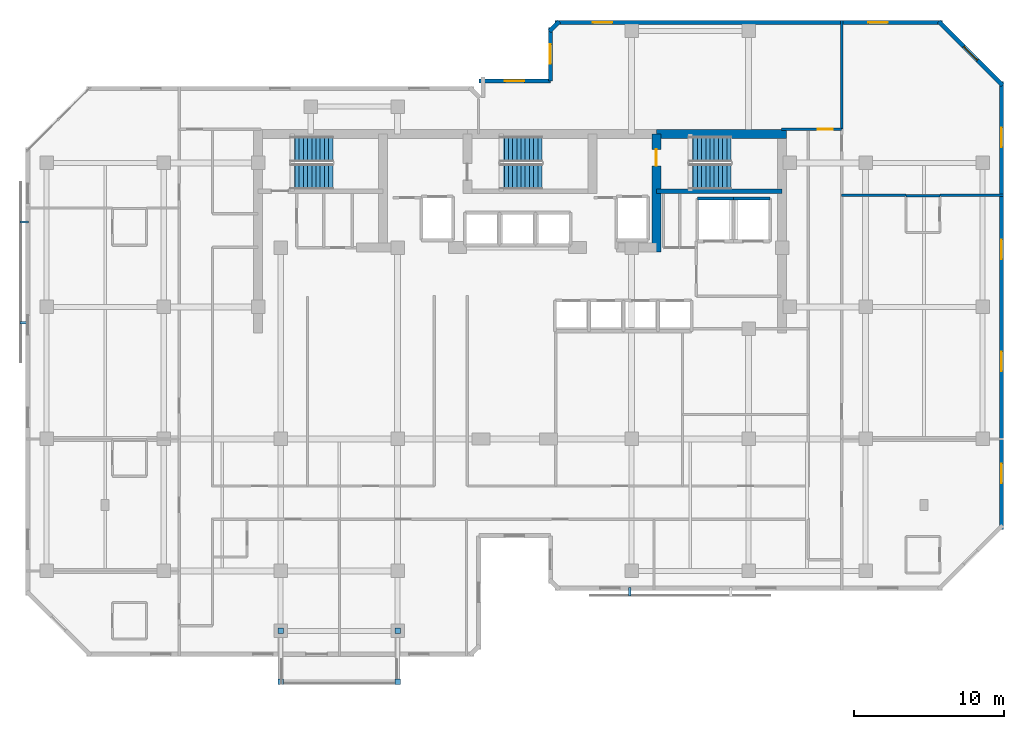
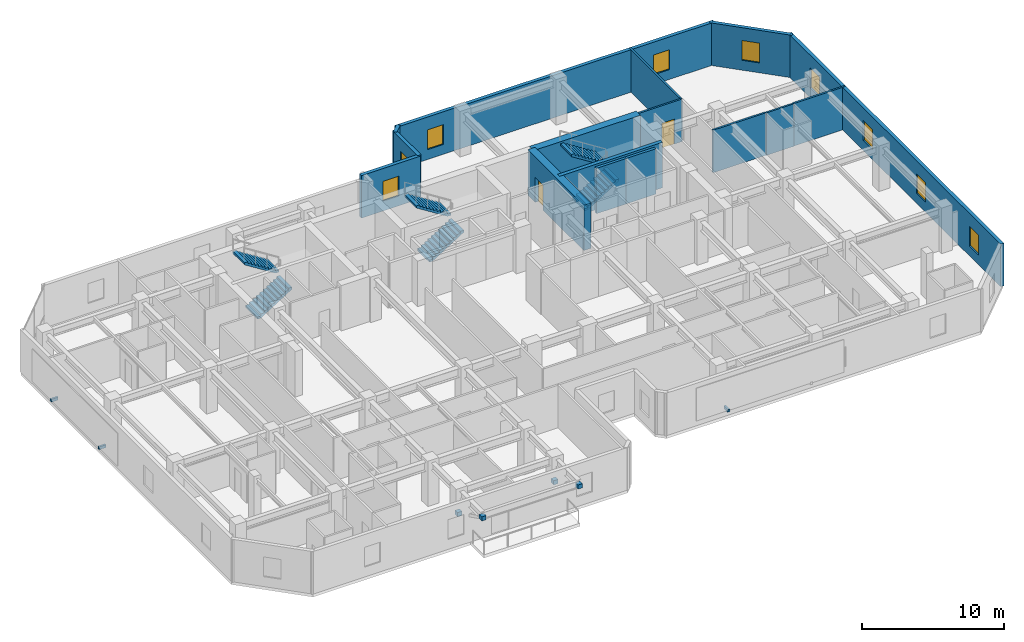
# One storey, part 8 of 11: 16 walls, 9 windows, 7 discrete accessories, 6 stair flights, 2 doors, 11 openings, 3 elements without a shape of their own.
"""IFC4 building model written with IfcOpenShell, lengths in metres."""

import ifcopenshell
import ifcopenshell.guid

model = None  # the IFC model being written
_history = None  # IfcOwnerHistory: only IFC2X3 demands one
_inside = {}  # id of a spatial element -> (the spatial element, [elements in it])
_under = {}  # id of a project, library or spatial element -> (it, [spatial elements below it])
_declared = {}  # id of a project -> (the project, [libraries it declares])
_typed = {}  # id of a type object -> (the type object, [elements of that type])
_made_of = {}  # id of a material, layer set ... -> (it, [elements and type objects made of it])


def new_model(schema):
    """Start an empty IFC model of exactly this schema.

    Asked for "IFC4X3", IfcOpenShell would pick the latest addendum, in which some entities
    have other attributes; the version numbers below select the first issue.
    IFC2X3 requires an IfcOwnerHistory on every rooted entity: one is made here for all.
    """
    global model, _history
    if schema == "IFC4X3":
        model = ifcopenshell.file(schema_version=(4, 3, 0, 0))
    else:
        model = ifcopenshell.file(schema=schema)
    _inside.clear()
    _under.clear()
    _declared.clear()
    _typed.clear()
    _made_of.clear()
    _history = None
    if model.schema == "IFC2X3":
        org = make("IfcOrganization", Name="unknown")
        user = make(
            "IfcPersonAndOrganization",
            ThePerson=make("IfcPerson", FamilyName="unknown"),
            TheOrganization=org,
        )
        app = make(
            "IfcApplication",
            ApplicationDeveloper=org,
            Version="unknown",
            ApplicationFullName="unknown",
            ApplicationIdentifier="unknown",
        )
        _history = make(
            "IfcOwnerHistory",
            OwningUser=user,
            OwningApplication=app,
            ChangeAction="ADDED",
            CreationDate=0,
        )
    return model


def make(cls, **values):
    """One entity of the class cls with the attributes given. An attribute that is None is left unset."""
    return model.create_entity(
        cls, **{name: value for name, value in values.items() if value is not None}
    )


def rooted(cls, **values):
    """An entity with a GlobalId (a new one), such as an element, a storey or a relation."""
    return make(cls, GlobalId=ifcopenshell.guid.new(), OwnerHistory=_history, **values)


def si_unit(unit_type, name, prefix=None):
    """IfcSIUnit, for example si_unit("LENGTHUNIT", "METRE", prefix="MILLI")."""
    return make("IfcSIUnit", UnitType=unit_type, Prefix=prefix, Name=name)


def assignment(units):
    """IfcUnitAssignment: the units of a project."""
    return None if units is None else make("IfcUnitAssignment", Units=units)


def point(xyz):
    """IfcCartesianPoint."""
    return None if xyz is None else make("IfcCartesianPoint", Coordinates=xyz)


def direction(xyz):
    """IfcDirection."""
    return None if xyz is None else make("IfcDirection", DirectionRatios=xyz)


def frame(location, z_axis=None, x_axis=None):
    """IfcAxis2Placement3D, a coordinate frame: its origin and axes. An axis left out is left unset."""
    return make(
        "IfcAxis2Placement3D",
        Location=point(location),
        Axis=direction(z_axis),
        RefDirection=direction(x_axis),
    )


def frame_2d(location, x_axis=None):
    """IfcAxis2Placement2D, a coordinate frame in the plane: its origin and x axis."""
    return make(
        "IfcAxis2Placement2D", Location=point(location), RefDirection=direction(x_axis)
    )


def origin():
    """The frame at (0, 0, 0) with its axes left unset."""
    return frame((0.0, 0.0, 0.0))


def origin_2d():
    """The frame at (0, 0) in the plane with its x axis left unset."""
    return frame_2d((0.0, 0.0))


def place(relative_to, where):
    """IfcLocalPlacement: puts the frame where relative to a parent placement (None: the world)."""
    return make(
        "IfcLocalPlacement", PlacementRelTo=relative_to, RelativePlacement=where
    )


def context(
    kind, dimensions, precision=None, world=None, true_north=None, identifier=None
):
    """IfcGeometricRepresentationContext, for example the 3D "Model" context."""
    return make(
        "IfcGeometricRepresentationContext",
        ContextIdentifier=identifier,
        ContextType=kind,
        CoordinateSpaceDimension=dimensions,
        Precision=precision,
        WorldCoordinateSystem=world,
        TrueNorth=true_north,
    )


def subcontext(parent, identifier, kind, view, scale=None):
    """IfcGeometricRepresentationSubContext, for example "Body" below "Model"."""
    return make(
        "IfcGeometricRepresentationSubContext",
        ContextIdentifier=identifier,
        ContextType=kind,
        ParentContext=parent,
        TargetScale=scale,
        TargetView=view,
    )


def project(units=None, contexts=None):
    """IfcProject with its units and contexts."""
    return rooted(
        "IfcProject",
        Name="project",
        RepresentationContexts=contexts,
        UnitsInContext=assignment(units),
    )


def spatial(cls, under=None, at=None, **own):
    """A site, building, storey or space (cls), placed at a placement, below another one or the project."""
    s = rooted(cls, ObjectPlacement=at, **own)
    if under is not None:
        _under.setdefault(under.id(), (under, []))[1].append(s)
    return s


def polyline(points):
    """IfcPolyline through the points."""
    return make("IfcPolyline", Points=[point(p) for p in points])


def profile(cls, at=None, kind="AREA", **sizes):
    """A parametric profile (cls). Its sizes go by their IFC names, for example OverallWidth=200.0."""
    return make(cls, ProfileType=kind, Position=at, **sizes)


def rectangle(**sizes):
    """IfcRectangleProfileDef."""
    return profile("IfcRectangleProfileDef", **sizes)


def outline(outer, holes=None, kind="AREA"):
    """IfcArbitraryClosedProfileDef: a profile drawn as a closed curve; with holes, ...WithVoids."""
    if holes is None:
        return make("IfcArbitraryClosedProfileDef", ProfileType=kind, OuterCurve=outer)
    return make(
        "IfcArbitraryProfileDefWithVoids",
        ProfileType=kind,
        OuterCurve=outer,
        InnerCurves=holes,
    )


def extrude(swept, where, along, depth):
    """IfcExtrudedAreaSolid: the profile swept, set in the frame where, extruded along a direction by depth."""
    return make(
        "IfcExtrudedAreaSolid",
        SweptArea=swept,
        Position=where,
        ExtrudedDirection=direction(along),
        Depth=depth,
    )


def shape(context_of_items, identifier, shape_type, items):
    """IfcShapeRepresentation: the items that make up one representation, for example the "Body"."""
    return make(
        "IfcShapeRepresentation",
        ContextOfItems=context_of_items,
        RepresentationIdentifier=identifier,
        RepresentationType=shape_type,
        Items=items,
    )


def material(Name=None, Category=None):
    """IfcMaterial."""
    return make("IfcMaterial", Name=Name, Category=Category)


def layer(
    of_material, thickness, ventilated=None, Name=None, Category=None, Priority=None
):
    """IfcMaterialLayer: one layer of a wall or slab, of a material (None: an air gap)."""
    return make(
        "IfcMaterialLayer",
        Material=of_material,
        LayerThickness=thickness,
        IsVentilated=ventilated,
        Name=Name,
        Category=Category,
        Priority=Priority,
    )


def layer_set(layers, Name=None):
    """IfcMaterialLayerSet."""
    return make("IfcMaterialLayerSet", MaterialLayers=layers, LayerSetName=Name)


def made_of(thing, what):
    """Note that an element or type object is made of a material, layer set ...; save() writes the relation."""
    if what is not None:
        _made_of.setdefault(what.id(), (what, []))[1].append(thing)
    return thing


def type_object(cls, material=None, **own):
    """A type object (cls), such as IfcWallType, which elements share."""
    return made_of(rooted(cls, **own), material)


def element(
    cls,
    number,
    at=None,
    inside=None,
    cuts=None,
    type_object=None,
    material=None,
    context=None,
    identifier="Body",
    shape_type=None,
    held_by="IfcProductDefinitionShape",
    body=None,
    shapes=None,
    **own,
):
    """One element of the class cls, such as IfcWall. Its Tag is "e" and its number.

    at: its placement. inside: the storey or other place that contains it. cuts: it is an
    opening in that element (IfcRelVoidsElement). A single representation is given by context,
    identifier, shape_type and body (its items); several are given by shapes. held_by: the class
    of the entity that holds the representations. save() writes the other relations.
    """
    e = rooted(cls, Tag="e%d" % number, ObjectPlacement=at, **own)
    if body is not None:
        shapes = [shape(context, identifier, shape_type, body)]
    if shapes is not None:
        e.Representation = make(held_by, Representations=shapes)
    if inside is not None:
        _inside.setdefault(inside.id(), (inside, []))[1].append(e)
    if cuts is not None:
        rooted(
            "IfcRelVoidsElement", RelatingBuildingElement=cuts, RelatedOpeningElement=e
        )
    if type_object is not None:
        _typed.setdefault(type_object.id(), (type_object, []))[1].append(e)
    return made_of(e, material)


def fill(opening, filler):
    """IfcRelFillsElement: the door or window that sits in an opening."""
    return rooted(
        "IfcRelFillsElement",
        RelatingOpeningElement=opening,
        RelatedBuildingElement=filler,
    )


def aggregate(whole, parts):
    """IfcRelAggregates: a whole, such as a stair, and the parts it consists of."""
    return rooted("IfcRelAggregates", RelatingObject=whole, RelatedObjects=parts)


def save(model, path):
    """Write the relations noted so far, then the file.

    IfcRelAggregates (storeys below a building ...), IfcRelContainedInSpatialStructure (elements
    in a storey), IfcRelDefinesByType, IfcRelAssociatesMaterial and IfcRelDeclares: one each for
    every whole, place, type object, material and project.
    """
    for whole, parts in _under.values():
        aggregate(whole, parts)
    for where, things in _inside.values():
        rooted(
            "IfcRelContainedInSpatialStructure",
            RelatedElements=things,
            RelatingStructure=where,
        )
    for kind, things in _typed.values():
        rooted("IfcRelDefinesByType", RelatedObjects=things, RelatingType=kind)
    for what, things in _made_of.values():
        rooted("IfcRelAssociatesMaterial", RelatedObjects=things, RelatingMaterial=what)
    for by, libraries in _declared.values():
        rooted("IfcRelDeclares", RelatingContext=by, RelatedDefinitions=libraries)
    model.write(path)


model = new_model("IFC4")

# Units and contexts
model_context = context("Model", 3, precision=1e-05, world=origin(), true_north=direction((0.0, 1.0)))
body_context = subcontext(model_context, "Body", "Model", "MODEL_VIEW")
ifc_project = project(units=[si_unit("LENGTHUNIT", "METRE"), si_unit("AREAUNIT", "SQUARE_METRE"), si_unit("VOLUMEUNIT", "CUBIC_METRE"), si_unit("PLANEANGLEUNIT", "RADIAN"), si_unit("MASSUNIT", "GRAM", prefix="KILO")], contexts=[model_context])

# Site, building, storey
site_placement = place(None, origin())
site = spatial("IfcSite", under=ifc_project, at=site_placement, CompositionType="ELEMENT")
building_placement = place(site_placement, origin())
building = spatial("IfcBuilding", under=site, at=building_placement, Name="Kestravale Grand Hotel", CompositionType="ELEMENT")
storey_placement = place(building_placement, frame((0.0, 0.0, 204.60009765625)))
storey = spatial("IfcBuildingStorey", under=building, at=storey_placement, Name="L51", CompositionType="ELEMENT", Elevation=204.60009765625)

# Wall
ifc_material_1 = material(Name="Concrete f'c 50 MPa", Category="concrete")
ifc_layer_1 = layer(ifc_material_1, 0.60009765625)
ifc_layer_set_1 = layer_set([ifc_layer_1], Name="EW-CORE-600")
wall_type_1 = type_object("IfcWallType", Name="EW-CORE-600", PredefinedType="SHEAR", material=ifc_layer_set_1)
wall_1_placement = place(storey_placement, frame((48.449951171875, 40.320068359375, 0.0), z_axis=(0.0, 0.0, 1.0), x_axis=(1.0, 0.0, 0.0)))
element("IfcWall", 1, at=wall_1_placement, inside=storey, type_object=wall_type_1, Name="L51 core shear wall N3", PredefinedType="SHEAR", context=body_context, shape_type="SweptSolid", body=[
    extrude(rectangle(XDim=8.670166015625, YDim=0.60009765625, at=frame_2d((4.3349609375, 0.0))), origin(), (0.0, 0.0, 1.0), 3.89990234375),
])

# Wall, opening, door
wall_2_placement = place(storey_placement, frame((48.449951171875, 32.449951171875, 0.0), z_axis=(0.0, 0.0, 1.0), x_axis=(0.0, 1.0, 0.0)))
wall_2 = element("IfcWall", 2, at=wall_2_placement, inside=storey, type_object=wall_type_1, Name="L51 core shear wall X4", PredefinedType="SHEAR", context=body_context, shape_type="SweptSolid", body=[
    extrude(rectangle(XDim=7.8701171875, YDim=0.60009765625, at=frame_2d((3.93505859375, 0.0))), origin(), (0.0, 0.0, 1.0), 3.89990234375),
])
opening_1_placement = place(wall_2_placement, frame((5.75, 0.0, 0.0)))
opening_1 = element("IfcOpeningElement", 3, at=opening_1_placement, cuts=wall_2, Name="Opening D-ST-1100", PredefinedType="OPENING", context=body_context, shape_type="SweptSolid", body=[
    extrude(rectangle(XDim=1.10009765625, YDim=2.14990234375, at=frame_2d((0.550048828125, 1.074951171875))), frame((0.0, 0.31005859375, 0.0), z_axis=(0.0, -1.0, 0.0), x_axis=(1.0, 0.0, 0.0)), (0.0, 0.0, 1.0), 0.6201171875),
])
ifc_material_2 = material(Name="Galvanised 90-minute fire-rated steel stair door", Category="steel")
door_type_1 = type_object("IfcDoorType", Name="D-ST-1100", OperationType="NOTDEFINED", PredefinedType="DOOR", material=ifc_material_2)
door_1_placement = place(opening_1_placement, origin())
door_1 = element("IfcDoor", 4, at=door_1_placement, inside=storey, type_object=door_type_1, Name="L51 Stair ST-3 FSAE fire door", OperationType="SINGLE_SWING_RIGHT", OverallHeight=2.14990234375, OverallWidth=1.10009765625, PredefinedType="DOOR", context=body_context, shape_type="SweptSolid", body=[
    extrude(rectangle(XDim=1.10009765625, YDim=2.14990234375, at=frame_2d((0.550048828125, 1.074951171875))), frame((0.0, 0.02490234375, 0.0), z_axis=(0.0, -1.0, 0.0), x_axis=(1.0, 0.0, 0.0)), (0.0, 0.0, 1.0), 0.050048828125),
])
fill(opening_1, door_1)

# Wall, openings, windows
ifc_material_3 = material(Name="Precast concrete f'c 45 MPa", Category="concrete")
ifc_layer_2 = layer(ifc_material_3, 0.280029296875)
ifc_layer_set_2 = layer_set([ifc_layer_2], Name="EW-PREC-280")
wall_type_2 = type_object("IfcWallType", Name="EW-PREC-280", PredefinedType="SOLIDWALL", material=ifc_layer_set_2)
wall_3_placement = place(storey_placement, frame((71.4599609375, 13.9599609375, 0.0), z_axis=(0.0, 0.0, 1.0), x_axis=(0.0, 1.0, 0.0)))
wall_3 = element("IfcWall", 5, at=wall_3_placement, inside=storey, type_object=wall_type_2, Name="L51 fluted precast facade wall 9", PredefinedType="SOLIDWALL", context=body_context, shape_type="SweptSolid", body=[
    extrude(rectangle(XDim=29.880126953125, YDim=0.280029296875, at=frame_2d((14.93994140625, 0.0))), origin(), (0.0, 0.0, 1.0), 3.64990234375),
])
opening_2_placement = place(wall_3_placement, frame((3.0849609375, 0.0, 0.85009765625)))
opening_2 = element("IfcOpeningElement", 6, at=opening_2_placement, cuts=wall_3, Name="Opening W-GUEST-1300", PredefinedType="OPENING", context=body_context, shape_type="SweptSolid", body=[
    extrude(rectangle(XDim=1.300048828125, YDim=1.699951171875, at=frame_2d((0.64990234375, 0.85009765625))), frame((0.0, 0.14990234375, 0.0), z_axis=(0.0, -1.0, 0.0), x_axis=(1.0, 0.0, 0.0)), (0.0, 0.0, 1.0), 0.300048828125),
])
opening_3_placement = place(wall_3_placement, frame((10.554931640625, 0.0, 0.85009765625)))
opening_3 = element("IfcOpeningElement", 7, at=opening_3_placement, cuts=wall_3, Name="Opening W-GUEST-1300", PredefinedType="OPENING", context=body_context, shape_type="SweptSolid", body=[
    extrude(rectangle(XDim=1.300048828125, YDim=1.699951171875, at=frame_2d((0.64990234375, 0.85009765625))), frame((0.0, 0.14990234375, 0.0), z_axis=(0.0, -1.0, 0.0), x_axis=(1.0, 0.0, 0.0)), (0.0, 0.0, 1.0), 0.300048828125),
])
opening_4_placement = place(wall_3_placement, frame((18.02490234375, 0.0, 0.85009765625)))
opening_4 = element("IfcOpeningElement", 8, at=opening_4_placement, cuts=wall_3, Name="Opening W-GUEST-1300", PredefinedType="OPENING", context=body_context, shape_type="SweptSolid", body=[
    extrude(rectangle(XDim=1.300048828125, YDim=1.699951171875, at=frame_2d((0.64990234375, 0.85009765625))), frame((0.0, 0.14990234375, 0.0), z_axis=(0.0, -1.0, 0.0), x_axis=(1.0, 0.0, 0.0)), (0.0, 0.0, 1.0), 0.300048828125),
])
opening_5_placement = place(wall_3_placement, frame((25.4951171875, 0.0, 0.85009765625)))
opening_5 = element("IfcOpeningElement", 9, at=opening_5_placement, cuts=wall_3, Name="Opening W-GUEST-1300", PredefinedType="OPENING", context=body_context, shape_type="SweptSolid", body=[
    extrude(rectangle(XDim=1.300048828125, YDim=1.699951171875, at=frame_2d((0.64990234375, 0.85009765625))), frame((0.0, 0.14990234375, 0.0), z_axis=(0.0, -1.0, 0.0), x_axis=(1.0, 0.0, 0.0)), (0.0, 0.0, 1.0), 0.300048828125),
])
ifc_material_4 = material(Name="Insulated low-E double glazing in aluminium frame", Category="aluminium")
window_type = type_object("IfcWindowType", Name="W-GUEST-1300", PartitioningType="SINGLE_PANEL", PredefinedType="WINDOW", material=ifc_material_4)
window_1_placement = place(opening_2_placement, origin())
window_1 = element("IfcWindow", 10, at=window_1_placement, inside=storey, type_object=window_type, Name="L51 exterior window 9.1", OverallHeight=1.699951171875, OverallWidth=1.300048828125, PartitioningType="SINGLE_PANEL", PredefinedType="WINDOW", context=body_context, shape_type="SweptSolid", body=[
    extrude(rectangle(XDim=1.300048828125, YDim=1.699951171875, at=frame_2d((0.64990234375, 0.85009765625))), frame((0.0, 0.030029296875, 0.0), z_axis=(0.0, -1.0, 0.0), x_axis=(1.0, 0.0, 0.0)), (0.0, 0.0, 1.0), 0.06005859375),
])
fill(opening_2, window_1)
window_2_placement = place(opening_3_placement, origin())
window_2 = element("IfcWindow", 11, at=window_2_placement, inside=storey, type_object=window_type, Name="L51 exterior window 9.2", OverallHeight=1.699951171875, OverallWidth=1.300048828125, PartitioningType="SINGLE_PANEL", PredefinedType="WINDOW", context=body_context, shape_type="SweptSolid", body=[
    extrude(rectangle(XDim=1.300048828125, YDim=1.699951171875, at=frame_2d((0.64990234375, 0.85009765625))), frame((0.0, 0.030029296875, 0.0), z_axis=(0.0, -1.0, 0.0), x_axis=(1.0, 0.0, 0.0)), (0.0, 0.0, 1.0), 0.06005859375),
])
fill(opening_3, window_2)
window_3_placement = place(opening_4_placement, origin())
window_3 = element("IfcWindow", 12, at=window_3_placement, inside=storey, type_object=window_type, Name="L51 exterior window 9.3", OverallHeight=1.699951171875, OverallWidth=1.300048828125, PartitioningType="SINGLE_PANEL", PredefinedType="WINDOW", context=body_context, shape_type="SweptSolid", body=[
    extrude(rectangle(XDim=1.300048828125, YDim=1.699951171875, at=frame_2d((0.64990234375, 0.85009765625))), frame((0.0, 0.030029296875, 0.0), z_axis=(0.0, -1.0, 0.0), x_axis=(1.0, 0.0, 0.0)), (0.0, 0.0, 1.0), 0.06005859375),
])
fill(opening_4, window_3)
window_4_placement = place(opening_5_placement, origin())
window_4 = element("IfcWindow", 13, at=window_4_placement, inside=storey, type_object=window_type, Name="L51 exterior window 9.4", OverallHeight=1.699951171875, OverallWidth=1.300048828125, PartitioningType="SINGLE_PANEL", PredefinedType="WINDOW", context=body_context, shape_type="SweptSolid", body=[
    extrude(rectangle(XDim=1.300048828125, YDim=1.699951171875, at=frame_2d((0.64990234375, 0.85009765625))), frame((0.0, 0.030029296875, 0.0), z_axis=(0.0, -1.0, 0.0), x_axis=(1.0, 0.0, 0.0)), (0.0, 0.0, 1.0), 0.06005859375),
])
fill(opening_5, window_4)

# Wall, opening, window
wall_4_placement = place(storey_placement, frame((71.529296875, 43.57275390625, 0.0), z_axis=(0.0, 0.0, 1.0), x_axis=(-0.707106781187, 0.707106781187, 0.0)))
wall_4 = element("IfcWall", 14, at=wall_4_placement, inside=storey, type_object=wall_type_2, Name="L51 fluted precast facade wall 10", PredefinedType="SOLIDWALL", context=body_context, shape_type="SweptSolid", body=[
    extrude(rectangle(XDim=6.019775390625, YDim=0.280029296875, at=frame_2d((3.009765625, 0.0))), origin(), (0.0, 0.0, 1.0), 3.64990234375),
])
opening_6_placement = place(wall_4_placement, frame((2.35986328125, 0.0, 0.85009765625)))
opening_6 = element("IfcOpeningElement", 15, at=opening_6_placement, cuts=wall_4, Name="Opening W-GUEST-1300", PredefinedType="OPENING", context=body_context, shape_type="SweptSolid", body=[
    extrude(rectangle(XDim=1.300048828125, YDim=1.699951171875, at=frame_2d((0.64990234375, 0.85009765625))), frame((0.0, 0.14990234375, 0.0), z_axis=(0.0, -1.0, 0.0), x_axis=(1.0, 0.0, 0.0)), (0.0, 0.0, 1.0), 0.300048828125),
])
window_5_placement = place(opening_6_placement, origin())
window_5 = element("IfcWindow", 16, at=window_5_placement, inside=storey, type_object=window_type, Name="L51 exterior window 10.1", OverallHeight=1.699951171875, OverallWidth=1.300048828125, PartitioningType="SINGLE_PANEL", PredefinedType="WINDOW", context=body_context, shape_type="SweptSolid", body=[
    extrude(rectangle(XDim=1.300048828125, YDim=1.699951171875, at=frame_2d((0.64990234375, 0.85009765625))), frame((0.0, 0.030029296875, 0.0), z_axis=(0.0, -1.0, 0.0), x_axis=(1.0, 0.0, 0.0)), (0.0, 0.0, 1.0), 0.06005859375),
])
fill(opening_6, window_5)

# Wall, openings, windows
wall_5_placement = place(storey_placement, frame((67.5400390625, 47.760009765625, 0.0), z_axis=(0.0, 0.0, 1.0), x_axis=(-1.0, 0.0, 0.0)))
wall_5 = element("IfcWall", 17, at=wall_5_placement, inside=storey, type_object=wall_type_2, Name="L51 fluted precast facade wall 11", PredefinedType="SOLIDWALL", context=body_context, shape_type="SweptSolid", body=[
    extrude(rectangle(XDim=25.830078125, YDim=0.280029296875, at=frame_2d((12.9150390625, 0.0))), origin(), (0.0, 0.0, 1.0), 3.64990234375),
])
opening_7_placement = place(wall_5_placement, frame((3.655029296875, 0.0, 0.85009765625)))
opening_7 = element("IfcOpeningElement", 18, at=opening_7_placement, cuts=wall_5, Name="Opening W-GUEST-1300", PredefinedType="OPENING", context=body_context, shape_type="SweptSolid", body=[
    extrude(rectangle(XDim=1.300048828125, YDim=1.699951171875, at=frame_2d((0.64990234375, 0.85009765625))), frame((0.0, 0.14990234375, 0.0), z_axis=(0.0, -1.0, 0.0), x_axis=(1.0, 0.0, 0.0)), (0.0, 0.0, 1.0), 0.300048828125),
])
opening_8_placement = place(wall_5_placement, frame((22.02490234375, 0.0, 0.85009765625)))
opening_8 = element("IfcOpeningElement", 19, at=opening_8_placement, cuts=wall_5, Name="Opening W-GUEST-1300", PredefinedType="OPENING", context=body_context, shape_type="SweptSolid", body=[
    extrude(rectangle(XDim=1.300048828125, YDim=1.699951171875, at=frame_2d((0.64990234375, 0.85009765625))), frame((0.0, 0.14990234375, 0.0), z_axis=(0.0, -1.0, 0.0), x_axis=(1.0, 0.0, 0.0)), (0.0, 0.0, 1.0), 0.300048828125),
])
window_6_placement = place(opening_7_placement, origin())
window_6 = element("IfcWindow", 20, at=window_6_placement, inside=storey, type_object=window_type, Name="L51 exterior window 11.1", OverallHeight=1.699951171875, OverallWidth=1.300048828125, PartitioningType="SINGLE_PANEL", PredefinedType="WINDOW", context=body_context, shape_type="SweptSolid", body=[
    extrude(rectangle(XDim=1.300048828125, YDim=1.699951171875, at=frame_2d((0.64990234375, 0.85009765625))), frame((0.0, 0.030029296875, 0.0), z_axis=(0.0, -1.0, 0.0), x_axis=(1.0, 0.0, 0.0)), (0.0, 0.0, 1.0), 0.06005859375),
])
fill(opening_7, window_6)
window_7_placement = place(opening_8_placement, origin())
window_7 = element("IfcWindow", 21, at=window_7_placement, inside=storey, type_object=window_type, Name="L51 exterior window 11.2", OverallHeight=1.699951171875, OverallWidth=1.300048828125, PartitioningType="SINGLE_PANEL", PredefinedType="WINDOW", context=body_context, shape_type="SweptSolid", body=[
    extrude(rectangle(XDim=1.300048828125, YDim=1.699951171875, at=frame_2d((0.64990234375, 0.85009765625))), frame((0.0, 0.030029296875, 0.0), z_axis=(0.0, -1.0, 0.0), x_axis=(1.0, 0.0, 0.0)), (0.0, 0.0, 1.0), 0.06005859375),
])
fill(opening_8, window_7)

# Wall
wall_6_placement = place(storey_placement, frame((41.977294921875, 47.829345703125, 0.0), z_axis=(0.0, 0.0, 1.0), x_axis=(-0.706975312048, -0.707238225886, 0.0)))
element("IfcWall", 22, at=wall_6_placement, inside=storey, type_object=wall_type_2, Name="L51 fluted precast facade wall 12", PredefinedType="SOLIDWALL", context=body_context, shape_type="SweptSolid", body=[
    extrude(rectangle(XDim=0.9287109375, YDim=0.280029296875, at=frame_2d((0.46435546875, 0.0))), origin(), (0.0, 0.0, 1.0), 3.64990234375),
])

# Wall, opening, window
wall_7_placement = place(storey_placement, frame((41.389892578125, 47.43994140625, 0.0), z_axis=(0.0, 0.0, 1.0), x_axis=(0.0, -1.0, 0.0)))
wall_7 = element("IfcWall", 23, at=wall_7_placement, inside=storey, type_object=wall_type_2, Name="L51 fluted precast facade wall 13", PredefinedType="SOLIDWALL", context=body_context, shape_type="SweptSolid", body=[
    extrude(rectangle(XDim=3.579833984375, YDim=0.280029296875, at=frame_2d((1.7900390625, 0.0))), origin(), (0.0, 0.0, 1.0), 3.64990234375),
])
opening_9_placement = place(wall_7_placement, frame((1.139892578125, 0.0, 0.85009765625)))
opening_9 = element("IfcOpeningElement", 24, at=opening_9_placement, cuts=wall_7, Name="Opening W-GUEST-1300", PredefinedType="OPENING", context=body_context, shape_type="SweptSolid", body=[
    extrude(rectangle(XDim=1.300048828125, YDim=1.699951171875, at=frame_2d((0.64990234375, 0.85009765625))), frame((0.0, 0.14990234375, 0.0), z_axis=(0.0, -1.0, 0.0), x_axis=(1.0, 0.0, 0.0)), (0.0, 0.0, 1.0), 0.300048828125),
])
window_8_placement = place(opening_9_placement, origin())
window_8 = element("IfcWindow", 25, at=window_8_placement, inside=storey, type_object=window_type, Name="L51 exterior window 13.1", OverallHeight=1.699951171875, OverallWidth=1.300048828125, PartitioningType="SINGLE_PANEL", PredefinedType="WINDOW", context=body_context, shape_type="SweptSolid", body=[
    extrude(rectangle(XDim=1.300048828125, YDim=1.699951171875, at=frame_2d((0.64990234375, 0.85009765625))), frame((0.0, 0.030029296875, 0.0), z_axis=(0.0, -1.0, 0.0), x_axis=(1.0, 0.0, 0.0)), (0.0, 0.0, 1.0), 0.06005859375),
])
fill(opening_9, window_8)

wall_8_placement = place(storey_placement, frame((41.389892578125, 43.860107421875, 0.0), z_axis=(0.0, 0.0, 1.0), x_axis=(-1.0, 0.0, 0.0)))
wall_8 = element("IfcWall", 26, at=wall_8_placement, inside=storey, type_object=wall_type_2, Name="L51 fluted precast facade wall 14", PredefinedType="SOLIDWALL", context=body_context, shape_type="SweptSolid", body=[
    extrude(rectangle(XDim=4.77978515625, YDim=0.280029296875, at=frame_2d((2.389892578125, 0.0))), origin(), (0.0, 0.0, 1.0), 3.64990234375),
])
opening_10_placement = place(wall_8_placement, frame((1.739990234375, 0.0, 0.85009765625)))
opening_10 = element("IfcOpeningElement", 27, at=opening_10_placement, cuts=wall_8, Name="Opening W-GUEST-1300", PredefinedType="OPENING", context=body_context, shape_type="SweptSolid", body=[
    extrude(rectangle(XDim=1.300048828125, YDim=1.699951171875, at=frame_2d((0.64990234375, 0.85009765625))), frame((0.0, 0.14990234375, 0.0), z_axis=(0.0, -1.0, 0.0), x_axis=(1.0, 0.0, 0.0)), (0.0, 0.0, 1.0), 0.300048828125),
])
window_9_placement = place(opening_10_placement, origin())
window_9 = element("IfcWindow", 28, at=window_9_placement, inside=storey, type_object=window_type, Name="L51 exterior window 14.1", OverallHeight=1.699951171875, OverallWidth=1.300048828125, PartitioningType="SINGLE_PANEL", PredefinedType="WINDOW", context=body_context, shape_type="SweptSolid", body=[
    extrude(rectangle(XDim=1.300048828125, YDim=1.699951171875, at=frame_2d((0.64990234375, 0.85009765625))), frame((0.0, 0.030029296875, 0.0), z_axis=(0.0, -1.0, 0.0), x_axis=(1.0, 0.0, 0.0)), (0.0, 0.0, 1.0), 0.06005859375),
])
fill(opening_10, window_9)

# Walls
ifc_material_5 = material(Name="Concrete f'c 45 MPa", Category="concrete")
ifc_layer_3 = layer(ifc_material_5, 0.300048828125)
ifc_layer_set_3 = layer_set([ifc_layer_3], Name="EW-STAIR-300")
wall_type_3 = type_object("IfcWallType", Name="EW-STAIR-300", PredefinedType="SHEAR", material=ifc_layer_set_3)
wall_9_placement = place(storey_placement, frame((48.449951171875, 36.52001953125, 0.0), z_axis=(0.0, 0.0, 1.0), x_axis=(1.0, 0.0, 0.0)))
element("IfcWall", 29, at=wall_9_placement, inside=storey, type_object=wall_type_3, Name="L51 stair enclosure shear wall SST3", PredefinedType="SHEAR", context=body_context, shape_type="SweptSolid", body=[
    extrude(rectangle(XDim=8.3701171875, YDim=0.300048828125, at=frame_2d((4.18505859375, 0.0))), origin(), (0.0, 0.0, 1.0), 3.89990234375),
])
ifc_material_6 = material(Name="Moisture-resistant tile-backer plumbing chase wall", Category="other")
ifc_layer_4 = layer(ifc_material_6, 0.139892578125)
ifc_layer_set_4 = layer_set([ifc_layer_4], Name="IW-PLB-140")
wall_type_4 = type_object("IfcWallType", Name="IW-PLB-140", PredefinedType="PLUMBINGWALL", material=ifc_layer_set_4)
wall_10_placement = place(storey_placement, frame((65.10009765625, 36.2099609375, 0.0), z_axis=(0.0, 0.0, 1.0), x_axis=(1.0, 0.0, 0.0)))
element("IfcWall", 30, at=wall_10_placement, inside=storey, type_object=wall_type_4, Name="W-L51-U06-BN", PredefinedType="PLUMBINGWALL", context=body_context, shape_type="SweptSolid", body=[
    extrude(rectangle(XDim=2.25, YDim=0.139892578125, at=frame_2d((1.125, 0.0))), origin(), (0.0, 0.0, 1.0), 3.64990234375),
])
ifc_material_7 = material(Name="Concrete f'c 45 MPa", Category="concrete")
ifc_layer_5 = layer(ifc_material_7, 0.219970703125)
ifc_layer_set_5 = layer_set([ifc_layer_5], Name="IW-SHAFT-220")
wall_type_5 = type_object("IfcWallType", Name="IW-SHAFT-220", PredefinedType="SHEAR", material=ifc_layer_set_5)
wall_11_placement = place(storey_placement, frame((51.179931640625, 36.030029296875, 0.0), z_axis=(0.0, 0.0, 1.0), x_axis=(1.0, 0.0, 0.0)))
element("IfcWall", 31, at=wall_11_placement, inside=storey, type_object=wall_type_5, Name="L51 SL-1 north shaft wall", PredefinedType="SHEAR", context=body_context, shape_type="SweptSolid", body=[
    extrude(rectangle(XDim=2.420166015625, YDim=0.219970703125, at=frame_2d((1.2099609375, 0.0))), origin(), (0.0, 0.0, 1.0), 3.89990234375),
])
wall_12_placement = place(storey_placement, frame((53.60009765625, 36.030029296875, 0.0), z_axis=(0.0, 0.0, 1.0), x_axis=(1.0, 0.0, 0.0)))
element("IfcWall", 32, at=wall_12_placement, inside=storey, type_object=wall_type_5, Name="L51 SL-2 north shaft wall", PredefinedType="SHEAR", context=body_context, shape_type="SweptSolid", body=[
    extrude(rectangle(XDim=2.419921875, YDim=0.219970703125, at=frame_2d((1.2099609375, 0.0))), origin(), (0.0, 0.0, 1.0), 3.89990234375),
])

# Wall, opening, door
ifc_material_8 = material(Name="Double-stud STC 52 acoustic demising partition", Category="other")
ifc_layer_6 = layer(ifc_material_8, 0.14990234375)
ifc_layer_set_6 = layer_set([ifc_layer_6], Name="IW-UNIT-150")
wall_type_6 = type_object("IfcWallType", Name="IW-UNIT-150", PredefinedType="PARTITIONING", material=ifc_layer_set_6)
wall_13_placement = place(storey_placement, frame((56.800048828125, 40.64990234375, 0.0), z_axis=(0.0, 0.0, 1.0), x_axis=(1.0, 0.0, 0.0)))
wall_13 = element("IfcWall", 33, at=wall_13_placement, inside=storey, type_object=wall_type_6, Name="W-L51-SE-N", PredefinedType="PARTITIONING", context=body_context, shape_type="SweptSolid", body=[
    extrude(rectangle(XDim=4.010009765625, YDim=0.14990234375, at=frame_2d((2.0048828125, 0.0))), origin(), (0.0, 0.0, 1.0), 3.64990234375),
])
opening_11_placement = place(wall_13_placement, frame((2.39990234375, 0.0, 0.0)))
opening_11 = element("IfcOpeningElement", 34, at=opening_11_placement, cuts=wall_13, Name="Opening D-GUEST-1000", PredefinedType="OPENING", context=body_context, shape_type="SweptSolid", body=[
    extrude(rectangle(XDim=1.0, YDim=2.14990234375, at=frame_2d((0.5, 1.074951171875))), frame((0.0, 0.0849609375, 0.0), z_axis=(0.0, -1.0, 0.0), x_axis=(1.0, 0.0, 0.0)), (0.0, 0.0, 1.0), 0.169921875),
])
ifc_material_9 = material(Name="Accessible walnut veneer hotel entrance fire door", Category="wood")
door_type_2 = type_object("IfcDoorType", Name="D-GUEST-1000", OperationType="NOTDEFINED", PredefinedType="DOOR", material=ifc_material_9)
door_2_placement = place(opening_11_placement, origin())
door_2 = element("IfcDoor", 35, at=door_2_placement, inside=storey, type_object=door_type_2, Name="L51 NE Gallery Door", OperationType="SINGLE_SWING_LEFT", OverallHeight=2.14990234375, OverallWidth=1.0, PredefinedType="DOOR", context=body_context, shape_type="SweptSolid", body=[
    extrude(rectangle(XDim=1.0, YDim=2.14990234375, at=frame_2d((0.5, 1.074951171875))), frame((0.0, 0.02490234375, 0.0), z_axis=(0.0, -1.0, 0.0), x_axis=(1.0, 0.0, 0.0)), (0.0, 0.0, 1.0), 0.050048828125),
])
fill(opening_11, door_2)

# Walls
wall_14_placement = place(storey_placement, frame((60.81005859375, 40.64990234375, 0.0), z_axis=(0.0, 0.0, 1.0), x_axis=(0.0, 1.0, 0.0)))
element("IfcWall", 36, at=wall_14_placement, inside=storey, type_object=wall_type_6, Name="W-L51-NGE-E", PredefinedType="PARTITIONING", context=body_context, shape_type="SweptSolid", body=[
    extrude(rectangle(XDim=7.22998046875, YDim=0.14990234375, at=frame_2d((3.614990234375, 0.0))), origin(), (0.0, 0.0, 1.0), 3.64990234375),
])
wall_15_placement = place(storey_placement, frame((60.81005859375, 36.25, 0.0), z_axis=(0.0, 0.0, 1.0), x_axis=(1.0, 0.0, 0.0)))
element("IfcWall", 37, at=wall_15_placement, inside=storey, type_object=wall_type_6, Name="W-L51-EW-2", PredefinedType="PARTITIONING", context=body_context, shape_type="SweptSolid", body=[
    extrude(rectangle(XDim=4.2900390625, YDim=0.14990234375, at=frame_2d((2.14501953125, 0.0))), origin(), (0.0, 0.0, 1.0), 3.64990234375),
])
wall_16_placement = place(storey_placement, frame((67.35009765625, 36.25, 0.0), z_axis=(0.0, 0.0, 1.0), x_axis=(1.0, 0.0, 0.0)))
element("IfcWall", 38, at=wall_16_placement, inside=storey, type_object=wall_type_6, Name="W-L51-EW-2", PredefinedType="PARTITIONING", context=body_context, shape_type="SweptSolid", body=[
    extrude(rectangle(XDim=4.22998046875, YDim=0.14990234375, at=frame_2d((2.114990234375, 0.0))), origin(), (0.0, 0.0, 1.0), 3.64990234375),
])

# Stair, stair flights
ifc_material_10 = material(Name="Concrete f'c 45 MPa", Category="concrete")
stair_type = type_object("IfcStairType", Name="ST-CORE-390", PredefinedType="HALF_TURN_STAIR", material=ifc_material_10)
stair_1_placement = place(storey_placement, origin())
stair_1 = element("IfcStair", 39, at=stair_1_placement, inside=storey, type_object=stair_type, Name="L51 ST-1", PredefinedType="HALF_TURN_STAIR")
ifc_material_11 = material(Name="Concrete f'c 45 MPa", Category="concrete")
stair_flight_type = type_object("IfcStairFlightType", Name="STF-CORE-390", PredefinedType="STRAIGHT", material=ifc_material_11)
stair_flight_1_placement = place(storey_placement, frame((24.080078125, 37.489990234375, 0.0), z_axis=(0.0, 0.0, 1.0), x_axis=(1.0, 0.0, 0.0)))
stair_flight_1 = element("IfcStairFlight", 40, at=stair_flight_1_placement, type_object=stair_flight_type, Name="ST-1 flight 1", NumberOfRisers=11, NumberOfTreads=10, PredefinedType="STRAIGHT", RiserHeight=0.177272727, TreadLength=0.28, context=body_context, shape_type="SweptSolid", body=[
    extrude(outline(polyline([(0.0, 0.0), (0.0, 0.17724609375), (0.280029296875, 0.17724609375), (0.280029296875, 0.3544921875), (0.56005859375, 0.3544921875), (0.56005859375, 0.53173828125), (0.840087890625, 0.53173828125), (0.840087890625, 0.708984375), (1.1201171875, 0.708984375), (1.1201171875, 0.886474609375), (1.39990234375, 0.886474609375), (1.39990234375, 1.063720703125), (1.679931640625, 1.063720703125), (1.679931640625, 1.240966796875), (1.9599609375, 1.240966796875), (1.9599609375, 1.418212890625), (2.239990234375, 1.418212890625), (2.239990234375, 1.595458984375), (2.52001953125, 1.595458984375), (2.52001953125, 1.772705078125), (2.800048828125, 1.772705078125), (2.800048828125, 1.949951171875), (2.800048828125, 1.59521484375), (0.2802734375, 0.0), (0.0, 0.0)])), frame((0.0, 0.83984375, 0.0), z_axis=(0.0, -1.0, 0.0), x_axis=(1.0, 0.0, 0.0)), (0.0, 0.0, 1.0), 1.679931640625),
])
stair_flight_2_placement = place(storey_placement, frame((26.8798828125, 39.320068359375, 1.949951171875), z_axis=(0.0, 0.0, 1.0), x_axis=(-1.0, 0.0, 0.0)))
stair_flight_2 = element("IfcStairFlight", 41, at=stair_flight_2_placement, type_object=stair_flight_type, Name="ST-1 flight 2", NumberOfRisers=11, NumberOfTreads=10, PredefinedType="STRAIGHT", RiserHeight=0.177272727, TreadLength=0.28, context=body_context, shape_type="SweptSolid", body=[
    extrude(outline(polyline([(0.0, 0.0), (0.0, 0.17724609375), (0.280029296875, 0.17724609375), (0.280029296875, 0.3544921875), (0.56005859375, 0.3544921875), (0.56005859375, 0.53173828125), (0.840087890625, 0.53173828125), (0.840087890625, 0.708984375), (1.1201171875, 0.708984375), (1.1201171875, 0.886474609375), (1.39990234375, 0.886474609375), (1.39990234375, 1.063720703125), (1.679931640625, 1.063720703125), (1.679931640625, 1.240966796875), (1.9599609375, 1.240966796875), (1.9599609375, 1.418212890625), (2.239990234375, 1.418212890625), (2.239990234375, 1.595458984375), (2.52001953125, 1.595458984375), (2.52001953125, 1.772705078125), (2.800048828125, 1.772705078125), (2.800048828125, 1.949951171875), (2.800048828125, 1.59521484375), (0.2802734375, 0.0), (0.0, 0.0)])), frame((0.0, 0.83984375, 0.0), z_axis=(0.0, -1.0, 0.0), x_axis=(1.0, 0.0, 0.0)), (0.0, 0.0, 1.0), 1.679931640625),
])
aggregate(stair_1, [stair_flight_1, stair_flight_2])

stair_2_placement = place(storey_placement, origin())
stair_2 = element("IfcStair", 42, at=stair_2_placement, inside=storey, type_object=stair_type, Name="L51 ST-2", PredefinedType="HALF_TURN_STAIR")
stair_flight_3_placement = place(storey_placement, frame((38.030029296875, 37.489990234375, 0.0), z_axis=(0.0, 0.0, 1.0), x_axis=(1.0, 0.0, 0.0)))
stair_flight_3 = element("IfcStairFlight", 43, at=stair_flight_3_placement, type_object=stair_flight_type, Name="ST-2 flight 1", NumberOfRisers=11, NumberOfTreads=10, PredefinedType="STRAIGHT", RiserHeight=0.177272727, TreadLength=0.28, context=body_context, shape_type="SweptSolid", body=[
    extrude(outline(polyline([(0.0, 0.0), (0.0, 0.17724609375), (0.280029296875, 0.17724609375), (0.280029296875, 0.3544921875), (0.56005859375, 0.3544921875), (0.56005859375, 0.53173828125), (0.840087890625, 0.53173828125), (0.840087890625, 0.708984375), (1.1201171875, 0.708984375), (1.1201171875, 0.886474609375), (1.39990234375, 0.886474609375), (1.39990234375, 1.063720703125), (1.679931640625, 1.063720703125), (1.679931640625, 1.240966796875), (1.9599609375, 1.240966796875), (1.9599609375, 1.418212890625), (2.239990234375, 1.418212890625), (2.239990234375, 1.595458984375), (2.52001953125, 1.595458984375), (2.52001953125, 1.772705078125), (2.800048828125, 1.772705078125), (2.800048828125, 1.949951171875), (2.800048828125, 1.59521484375), (0.2802734375, 0.0), (0.0, 0.0)])), frame((0.0, 0.83984375, 0.0), z_axis=(0.0, -1.0, 0.0), x_axis=(1.0, 0.0, 0.0)), (0.0, 0.0, 1.0), 1.679931640625),
])
stair_flight_4_placement = place(storey_placement, frame((40.830078125, 39.320068359375, 1.949951171875), z_axis=(0.0, 0.0, 1.0), x_axis=(-1.0, 0.0, 0.0)))
stair_flight_4 = element("IfcStairFlight", 44, at=stair_flight_4_placement, type_object=stair_flight_type, Name="ST-2 flight 2", NumberOfRisers=11, NumberOfTreads=10, PredefinedType="STRAIGHT", RiserHeight=0.177272727, TreadLength=0.28, context=body_context, shape_type="SweptSolid", body=[
    extrude(outline(polyline([(0.0, 0.0), (0.0, 0.17724609375), (0.280029296875, 0.17724609375), (0.280029296875, 0.3544921875), (0.56005859375, 0.3544921875), (0.56005859375, 0.53173828125), (0.840087890625, 0.53173828125), (0.840087890625, 0.708984375), (1.1201171875, 0.708984375), (1.1201171875, 0.886474609375), (1.39990234375, 0.886474609375), (1.39990234375, 1.063720703125), (1.679931640625, 1.063720703125), (1.679931640625, 1.240966796875), (1.9599609375, 1.240966796875), (1.9599609375, 1.418212890625), (2.239990234375, 1.418212890625), (2.239990234375, 1.595458984375), (2.52001953125, 1.595458984375), (2.52001953125, 1.772705078125), (2.800048828125, 1.772705078125), (2.800048828125, 1.949951171875), (2.800048828125, 1.59521484375), (0.2802734375, 0.0), (0.0, 0.0)])), frame((0.0, 0.83984375, 0.0), z_axis=(0.0, -1.0, 0.0), x_axis=(1.0, 0.0, 0.0)), (0.0, 0.0, 1.0), 1.679931640625),
])
aggregate(stair_2, [stair_flight_3, stair_flight_4])

stair_3_placement = place(storey_placement, origin())
stair_3 = element("IfcStair", 45, at=stair_3_placement, inside=storey, type_object=stair_type, Name="L51 ST-3", PredefinedType="HALF_TURN_STAIR")
stair_flight_5_placement = place(storey_placement, frame((50.6298828125, 37.489990234375, 0.0), z_axis=(0.0, 0.0, 1.0), x_axis=(1.0, 0.0, 0.0)))
stair_flight_5 = element("IfcStairFlight", 46, at=stair_flight_5_placement, type_object=stair_flight_type, Name="ST-3 flight 1", NumberOfRisers=11, NumberOfTreads=10, PredefinedType="STRAIGHT", RiserHeight=0.177272727, TreadLength=0.28, context=body_context, shape_type="SweptSolid", body=[
    extrude(outline(polyline([(0.0, 0.0), (0.0, 0.17724609375), (0.280029296875, 0.17724609375), (0.280029296875, 0.3544921875), (0.56005859375, 0.3544921875), (0.56005859375, 0.53173828125), (0.840087890625, 0.53173828125), (0.840087890625, 0.708984375), (1.1201171875, 0.708984375), (1.1201171875, 0.886474609375), (1.39990234375, 0.886474609375), (1.39990234375, 1.063720703125), (1.679931640625, 1.063720703125), (1.679931640625, 1.240966796875), (1.9599609375, 1.240966796875), (1.9599609375, 1.418212890625), (2.239990234375, 1.418212890625), (2.239990234375, 1.595458984375), (2.52001953125, 1.595458984375), (2.52001953125, 1.772705078125), (2.800048828125, 1.772705078125), (2.800048828125, 1.949951171875), (2.800048828125, 1.59521484375), (0.2802734375, 0.0), (0.0, 0.0)])), frame((0.0, 0.83984375, 0.0), z_axis=(0.0, -1.0, 0.0), x_axis=(1.0, 0.0, 0.0)), (0.0, 0.0, 1.0), 1.679931640625),
])
stair_flight_6_placement = place(storey_placement, frame((53.429931640625, 39.320068359375, 1.949951171875), z_axis=(0.0, 0.0, 1.0), x_axis=(-1.0, 0.0, 0.0)))
stair_flight_6 = element("IfcStairFlight", 47, at=stair_flight_6_placement, type_object=stair_flight_type, Name="ST-3 flight 2", NumberOfRisers=11, NumberOfTreads=10, PredefinedType="STRAIGHT", RiserHeight=0.177272727, TreadLength=0.28, context=body_context, shape_type="SweptSolid", body=[
    extrude(outline(polyline([(0.0, 0.0), (0.0, 0.17724609375), (0.280029296875, 0.17724609375), (0.280029296875, 0.3544921875), (0.56005859375, 0.3544921875), (0.56005859375, 0.53173828125), (0.840087890625, 0.53173828125), (0.840087890625, 0.708984375), (1.1201171875, 0.708984375), (1.1201171875, 0.886474609375), (1.39990234375, 0.886474609375), (1.39990234375, 1.063720703125), (1.679931640625, 1.063720703125), (1.679931640625, 1.240966796875), (1.9599609375, 1.240966796875), (1.9599609375, 1.418212890625), (2.239990234375, 1.418212890625), (2.239990234375, 1.595458984375), (2.52001953125, 1.595458984375), (2.52001953125, 1.772705078125), (2.800048828125, 1.772705078125), (2.800048828125, 1.949951171875), (2.800048828125, 1.59521484375), (0.2802734375, 0.0), (0.0, 0.0)])), frame((0.0, 0.83984375, 0.0), z_axis=(0.0, -1.0, 0.0), x_axis=(1.0, 0.0, 0.0)), (0.0, 0.0, 1.0), 1.679931640625),
])
aggregate(stair_3, [stair_flight_5, stair_flight_6])

# Discrete accessories
ifc_material_12 = material(Name="Steel ASTM A572 Grade 50 hot-dip galvanised bracket", Category="steel")
discrete_accessory_type = type_object("IfcDiscreteAccessoryType", Name="ACC-BRK-STL", PredefinedType="BRACKET", material=ifc_material_12)
for number, where, z_axis, x_axis, name in (
    (48, (23.39990234375, 7.199951171875, 1.2939453125), (0.0, 0.0, 1.0), (1.0, 0.0, 0.0), "L52 terrace strut column bracket 1"),
    (49, (23.39990234375, 3.800048828125, 2.99365234375), (0.0, 0.0, 1.0), (1.0, 0.0, 0.0), "L52 terrace strut beam bracket 1"),
    (50, (31.199951171875, 7.199951171875, 1.2939453125), (0.0, 0.0, 1.0), (1.0, 0.0, 0.0), "L52 terrace strut column bracket 2"),
    (51, (31.199951171875, 3.800048828125, 2.99365234375), (0.0, 0.0, 1.0), (1.0, 0.0, 0.0), "L52 terrace strut beam bracket 2"),
):
    element("IfcDiscreteAccessory", number, at=place(storey_placement, frame(where, z_axis=z_axis, x_axis=x_axis)), inside=storey, type_object=discrete_accessory_type, Name=name, PredefinedType="BRACKET", context=body_context, shape_type="SweptSolid", body=[
        extrude(rectangle(XDim=0.360107421875, YDim=0.360107421875, at=origin_2d()), origin(), (0.0, 0.0, 1.0), 0.360107421875),
    ])
for number, where, z_axis, x_axis, name in (
    (52, (46.68994140625, 9.804931640625, 0.56005859375), (0.0, 0.0, 1.0), (1.0, 0.0, 0.0), "L51 solar screen standoff bracket 1"),
    (53, (6.304931640625, 34.4599609375, 0.56005859375), (0.0, 0.0, 1.0), (0.0, -1.0, 0.0), "L51 solar screen standoff bracket 1"),
    (54, (6.304931640625, 27.739990234375, 0.56005859375), (0.0, 0.0, 1.0), (0.0, -1.0, 0.0), "L51 solar screen standoff bracket 2"),
):
    element("IfcDiscreteAccessory", number, at=place(storey_placement, frame(where, z_axis=z_axis, x_axis=x_axis)), inside=storey, type_object=discrete_accessory_type, Name=name, PredefinedType="BRACKET", context=body_context, shape_type="SweptSolid", body=[
        extrude(rectangle(XDim=0.159912109375, YDim=0.56005859375, at=origin_2d()), origin(), (0.0, 0.0, 1.0), 0.239990234375),
    ])

save(model, "model.ifc")
